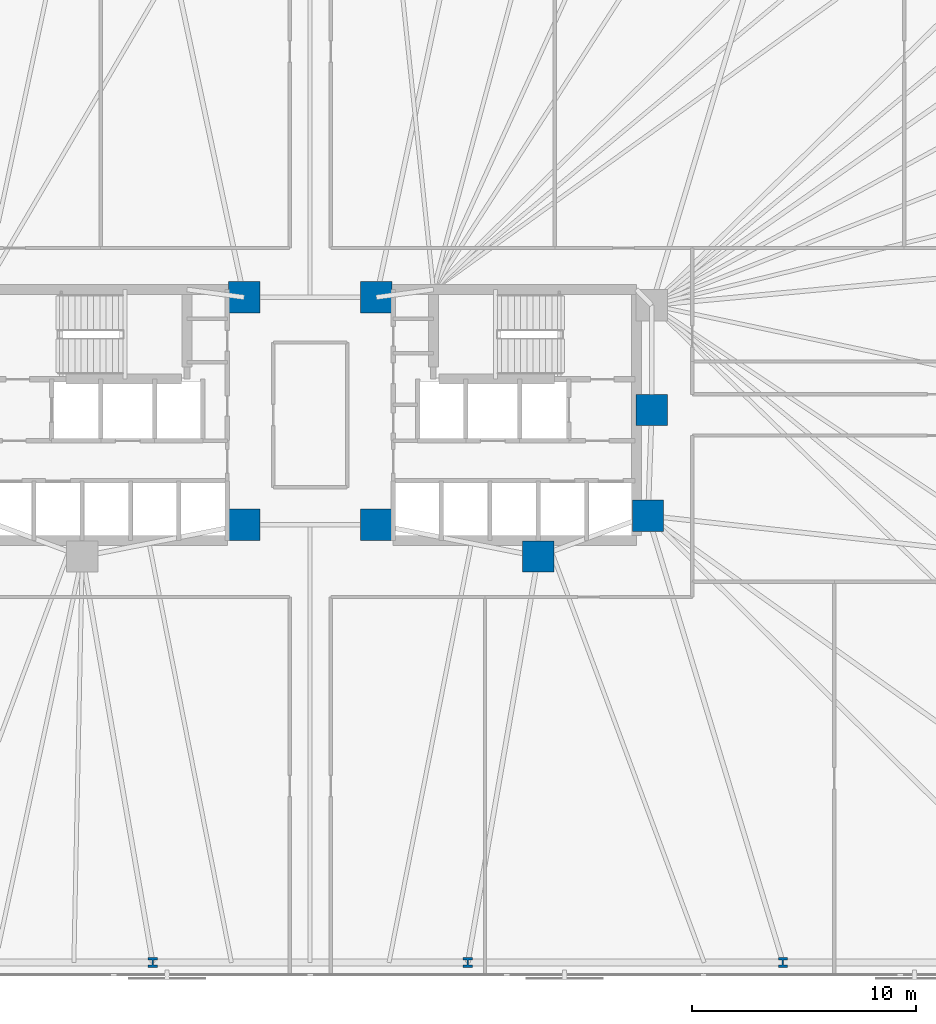
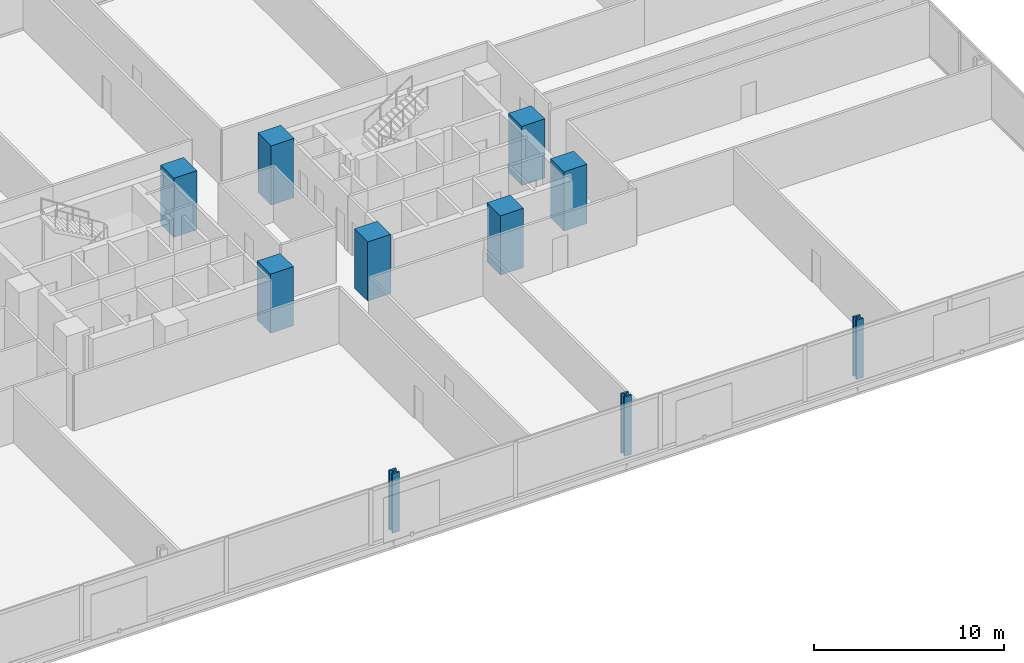
# One storey, part 3 of 17: 10 columns.
"""IFC4 building model written with IfcOpenShell, lengths in metres."""

from ifc_helpers import new_model, si_unit, direction, frame, origin, origin_2d, place, context, subcontext, project, spatial, rectangle, i_section, extrude, material, material_profile, profile_set, type_object, element, save


model = new_model("IFC4")

# Units and contexts
model_context = context("Model", 3, precision=1e-05, world=origin(), true_north=direction((0.0, 1.0)))
body_context = subcontext(model_context, "Body", "Model", "MODEL_VIEW")
ifc_project = project(units=[si_unit("LENGTHUNIT", "METRE"), si_unit("AREAUNIT", "SQUARE_METRE"), si_unit("VOLUMEUNIT", "CUBIC_METRE"), si_unit("PLANEANGLEUNIT", "RADIAN"), si_unit("MASSUNIT", "GRAM", prefix="KILO")], contexts=[model_context])

# Site, building, storey
site_placement = place(None, origin())
site = spatial("IfcSite", under=ifc_project, at=site_placement, CompositionType="ELEMENT")
building_placement = place(site_placement, origin())
building = spatial("IfcBuilding", under=site, at=building_placement, Name="Menara Jurai Vektor", CompositionType="ELEMENT")
storey_placement = place(building_placement, frame((0.0, 0.0, 48.39990234375)))
storey = spatial("IfcBuildingStorey", under=building, at=storey_placement, Name="L11", CompositionType="ELEMENT", Elevation=48.39990234375)

# Columns
ifc_material_1 = material(Name="Concrete C60/75", Category="concrete")
ifc_material_profile_1 = material_profile(ifc_material_1, rectangle(XDim=1.39990234375, YDim=1.39990234375, at=origin_2d()), Name="RC 1400x1400")
ifc_profile_set_1 = profile_set([ifc_material_profile_1], Name="Concrete C60/75")
column_type_1 = type_object("IfcColumnType", Name="STR-COL-RC1400", PredefinedType="COLUMN", material=ifc_profile_set_1)
for number, where, z_axis, x_axis, name in (
    (1, (-2.949951171875, -4.89990234375, 0.0), (0.0, 0.0, 1.0), (1.0, 0.0, 0.0), "Core Spine Column CW-SE L11"),
    (2, (-2.949951171875, 5.25, 0.0), (0.0, 0.0, 1.0), (1.0, 0.0, 0.0), "Core Spine Column CW-NE L11"),
    (3, (15.25, 0.219970703125, 0.0), (0.0, 0.0, 1.0), (1.0, 0.0, 0.0), "Core Spine Column CE-EM L11"),
    (4, (15.080078125, -4.5, 0.0), (0.0, 0.0, 1.0), (1.0, 0.0, 0.0), "Core Spine Column CE-SE L11"),
    (5, (10.179931640625, -6.320068359375, 0.0), (0.0, 0.0, 1.0), (1.0, 0.0, 0.0), "Core Spine Column CE-SM L11"),
    (6, (2.949951171875, -4.89990234375, 0.0), (0.0, 0.0, 1.0), (1.0, 0.0, 0.0), "Core Spine Column CE-SW L11"),
    (7, (2.949951171875, 5.25, 0.0), (0.0, 0.0, 1.0), (1.0, 0.0, 0.0), "Core Spine Column CE-NW L11"),
):
    element("IfcColumn", number, at=place(storey_placement, frame(where, z_axis=z_axis, x_axis=x_axis)), inside=storey, type_object=column_type_1, Name=name, PredefinedType="COLUMN", context=body_context, shape_type="SweptSolid", body=[
        extrude(rectangle(XDim=1.39990234375, YDim=1.39990234375, at=origin_2d()), origin(), (0.0, 0.0, 1.0), 3.800048828125),
    ])
ifc_material_2 = material(Name="Steel S460", Category="steel")
ifc_material_profile_2 = material_profile(ifc_material_2, i_section(OverallWidth=0.419921875, OverallDepth=0.430908203125, WebThickness=0.06494140625, FlangeThickness=0.10595703125, FilletRadius=0.014892578125, at=origin_2d()), Name="HD 400x900")
ifc_profile_set_2 = profile_set([ifc_material_profile_2], Name="Steel S460")
column_type_2 = type_object("IfcColumnType", Name="STR-EXO-BLK1", PredefinedType="COLUMN", material=ifc_profile_set_2)
for number, where, z_axis, x_axis, name in (
    (8, (-7.03564453125, -24.449951171875, 0.0), (0.0, 0.0, 1.0), (1.0, 0.0, 0.0), "Exoskeleton Column BLK1-S3 L11"),
    (9, (7.03564453125, -24.449951171875, 0.0), (0.0, 0.0, 1.0), (1.0, 0.0, 0.0), "Exoskeleton Column BLK1-S4 L11"),
    (10, (21.106689453125, -24.449951171875, 0.0), (0.0, 0.0, 1.0), (1.0, 0.0, 0.0), "Exoskeleton Column BLK1-S5 L11"),
):
    element("IfcColumn", number, at=place(storey_placement, frame(where, z_axis=z_axis, x_axis=x_axis)), inside=storey, type_object=column_type_2, Name=name, PredefinedType="COLUMN", context=body_context, shape_type="SweptSolid", body=[
        extrude(i_section(OverallWidth=0.419921875, OverallDepth=0.430908203125, WebThickness=0.06494140625, FlangeThickness=0.10595703125, FilletRadius=0.014892578125, at=origin_2d()), origin(), (0.0, 0.0, 1.0), 3.800048828125),
    ])

save(model, "model.ifc")
